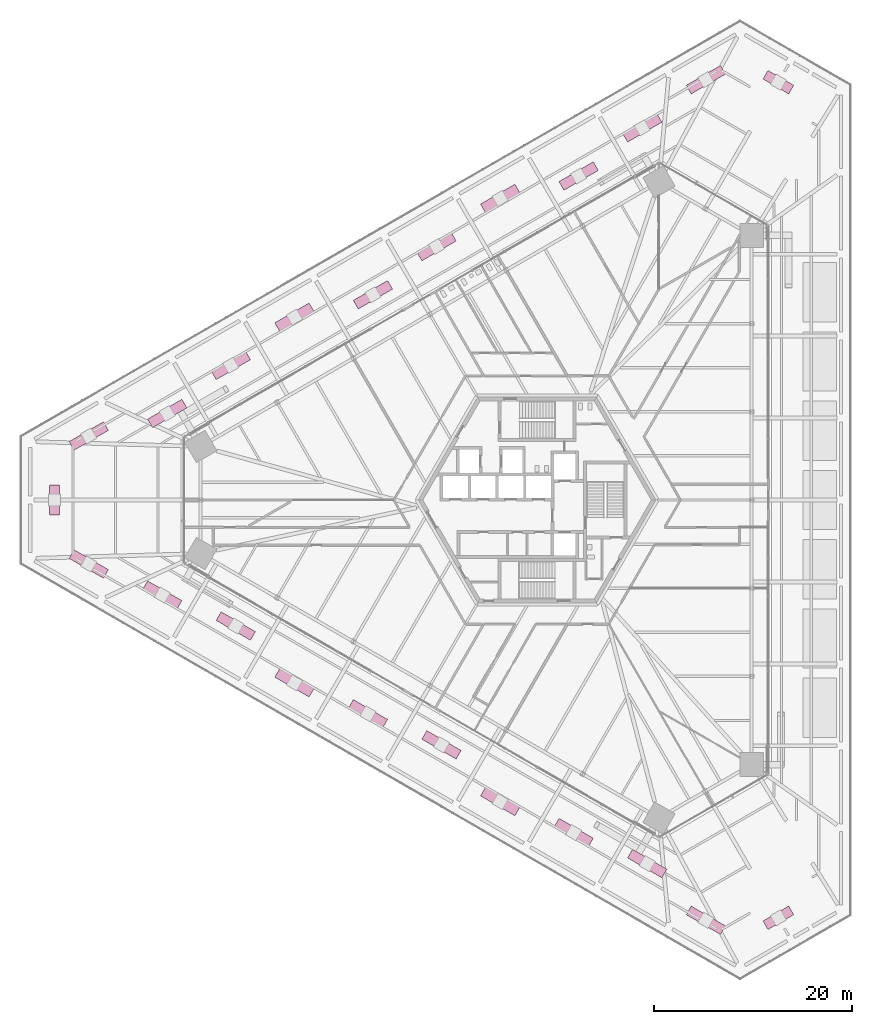
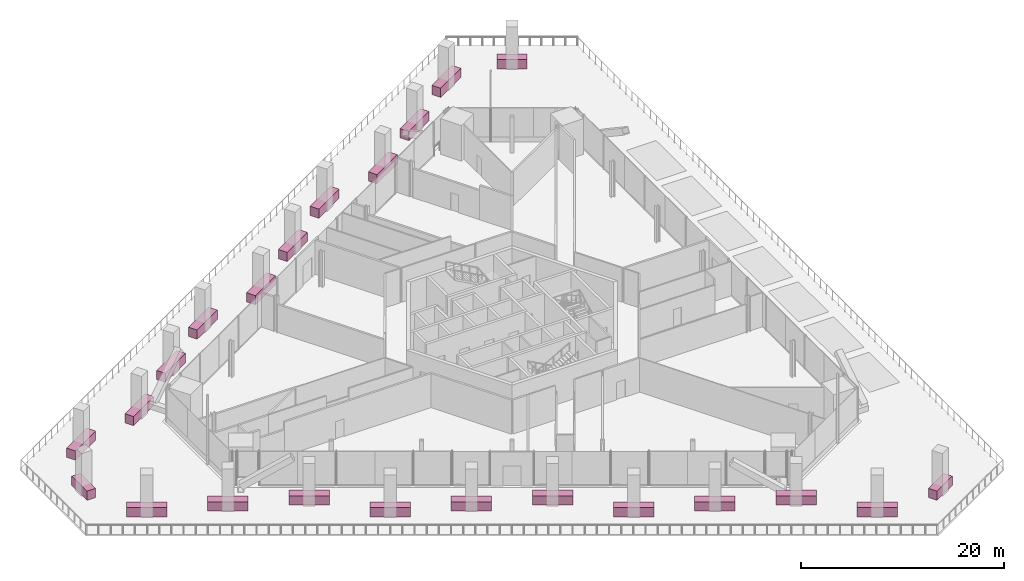
# One storey, part 37 of 38: 23 furniture elements.
"""IFC4 building model written with IfcOpenShell, lengths in metres."""

from ifc_helpers import new_model, si_unit, direction, frame, origin, origin_2d, place, context, subcontext, project, spatial, rectangle, extrude, source, transform, mapped, material, type_object, element, save


model = new_model("IFC4")

# Units and contexts
model_context = context("Model", 3, precision=1e-05, world=origin(), true_north=direction((0.0, 1.0)))
body_context = subcontext(model_context, "Body", "Model", "MODEL_VIEW")
ifc_project = project(units=[si_unit("LENGTHUNIT", "METRE"), si_unit("AREAUNIT", "SQUARE_METRE"), si_unit("VOLUMEUNIT", "CUBIC_METRE"), si_unit("PLANEANGLEUNIT", "RADIAN"), si_unit("MASSUNIT", "GRAM", prefix="KILO")], contexts=[model_context])

# Site, building, storey
site_placement = place(None, origin())
site = spatial("IfcSite", under=ifc_project, at=site_placement, CompositionType="ELEMENT")
building_placement = place(site_placement, origin())
building = spatial("IfcBuilding", under=site, at=building_placement, Name="Triune Harvest Tower", CompositionType="ELEMENT")
storey_placement = place(building_placement, frame((0.0, 0.0, 16.0)))
storey = spatial("IfcBuildingStorey", under=building, at=storey_placement, Name="L03", CompositionType="ELEMENT", Elevation=16.0)

# Furniture
ifc_material_1 = material(Name="Concrete 40 MPa", Category="concrete")
furniture_type_1 = type_object("IfcFurnitureType", Name="PB-3 structural planter", AssemblyPlace="SITE", PredefinedType="USERDEFINED", material=ifc_material_1)
shared_shape_1 = source(origin(), body_context, "Body", "SweptSolid", [
    extrude(rectangle(XDim=3.0, YDim=1.0, at=origin_2d()), origin(), (0.0, 0.0, 1.0), 1.10009765625),
])
for number, where, z_axis, x_axis, name in (
    (1, (24.375, 42.218994140625, 0.0), (0.0, 0.0, 1.0), (-0.866027149108, 0.499996976998, 0.0), "Terrace planter 1"),
    (2, (-48.750244140625, 0.0, 0.0), (0.0, 0.0, 1.0), (0.0, -1.0, 0.0), "Terrace planter 12"),
    (3, (24.375, -42.218994140625, 0.0), (0.0, 0.0, 1.0), (0.866027149108, 0.499996976998, 0.0), "Terrace planter 23"),
):
    element("IfcFurniture", number, at=place(storey_placement, frame(where, z_axis=z_axis, x_axis=x_axis)), inside=storey, type_object=furniture_type_1, Name=name, ObjectType="PLANTER", PredefinedType="USERDEFINED", context=body_context, shape_type="MappedRepresentation", body=[
        mapped(shared_shape_1, transform((0.0, 0.0, 0.0), scale=1.0)),
    ])
ifc_material_2 = material(Name="Concrete 40 MPa", Category="concrete")
furniture_type_2 = type_object("IfcFurnitureType", Name="PB-2 structural planter", AssemblyPlace="SITE", PredefinedType="USERDEFINED", material=ifc_material_2)
shared_shape_2 = source(origin(), body_context, "Body", "SweptSolid", [
    extrude(rectangle(XDim=4.0, YDim=1.0, at=origin_2d()), origin(), (0.0, 0.0, 1.0), 1.10009765625),
])
for number, where, z_axis, x_axis, name in (
    (4, (17.0498046875, 42.468994140625, 0.0), (0.0, 0.0, 1.0), (-0.866025403784, -0.5, 0.0), "Terrace planter 2"),
    (5, (10.62158203125, 37.602783203125, 0.0), (0.0, 0.0, 1.0), (-0.866025403784, -0.5, 0.0), "Terrace planter 3"),
    (6, (4.193359375, 32.73681640625, 0.0), (0.0, 0.0, 1.0), (-0.866025403784, -0.5, 0.0), "Terrace planter 4"),
    (7, (-3.73486328125, 30.468994140625, 0.0), (0.0, 0.0, 1.0), (-0.866025403784, -0.5, 0.0), "Terrace planter 5"),
    (8, (-10.1630859375, 25.602783203125, 0.0), (0.0, 0.0, 1.0), (-0.866025403784, -0.5, 0.0), "Terrace planter 6"),
    (9, (-16.59130859375, 20.73681640625, 0.0), (0.0, 0.0, 1.0), (-0.866025403784, -0.5, 0.0), "Terrace planter 7"),
    (10, (-24.51953125, 18.468994140625, 0.0), (0.0, 0.0, 1.0), (-0.866025403784, -0.5, 0.0), "Terrace planter 8"),
    (11, (-30.94775390625, 13.602783203125, 0.0), (0.0, 0.0, 1.0), (-0.866025403784, -0.5, 0.0), "Terrace planter 9"),
    (12, (-37.3759765625, 8.73681640625, 0.0), (0.0, 0.0, 1.0), (-0.866025403784, -0.5, 0.0), "Terrace planter 10"),
    (13, (-45.30419921875, 6.468994140625, 0.0), (0.0, 0.0, 1.0), (-0.866025403784, -0.5, 0.0), "Terrace planter 11"),
    (14, (-45.303955078125, -6.468994140625, 0.0), (0.0, 0.0, 1.0), (0.866025403784, -0.5, 0.0), "Terrace planter 13"),
    (15, (-37.875732421875, -9.602783203125, 0.0), (0.0, 0.0, 1.0), (0.866025403784, -0.5, 0.0), "Terrace planter 14"),
    (16, (-30.447509765625, -12.73681640625, 0.0), (0.0, 0.0, 1.0), (0.866025403784, -0.5, 0.0), "Terrace planter 15"),
    (17, (-24.519287109375, -18.468994140625, 0.0), (0.0, 0.0, 1.0), (0.866025403784, -0.5, 0.0), "Terrace planter 16"),
    (18, (-17.09130859375, -21.602783203125, 0.0), (0.0, 0.0, 1.0), (0.866025403784, -0.5, 0.0), "Terrace planter 17"),
    (19, (-9.6630859375, -24.73681640625, 0.0), (0.0, 0.0, 1.0), (0.866025403784, -0.5, 0.0), "Terrace planter 18"),
    (20, (-3.73486328125, -30.468994140625, 0.0), (0.0, 0.0, 1.0), (0.866025403784, -0.5, 0.0), "Terrace planter 19"),
    (21, (3.693359375, -33.602783203125, 0.0), (0.0, 0.0, 1.0), (0.866025403784, -0.5, 0.0), "Terrace planter 20"),
    (22, (11.12158203125, -36.73681640625, 0.0), (0.0, 0.0, 1.0), (0.866025403784, -0.5, 0.0), "Terrace planter 21"),
    (23, (17.0498046875, -42.468994140625, 0.0), (0.0, 0.0, 1.0), (0.866025403784, -0.5, 0.0), "Terrace planter 22"),
):
    element("IfcFurniture", number, at=place(storey_placement, frame(where, z_axis=z_axis, x_axis=x_axis)), inside=storey, type_object=furniture_type_2, Name=name, ObjectType="PLANTER", PredefinedType="USERDEFINED", context=body_context, shape_type="MappedRepresentation", body=[
        mapped(shared_shape_2, transform((0.0, 0.0, 0.0), scale=1.0)),
    ])

save(model, "model.ifc")
